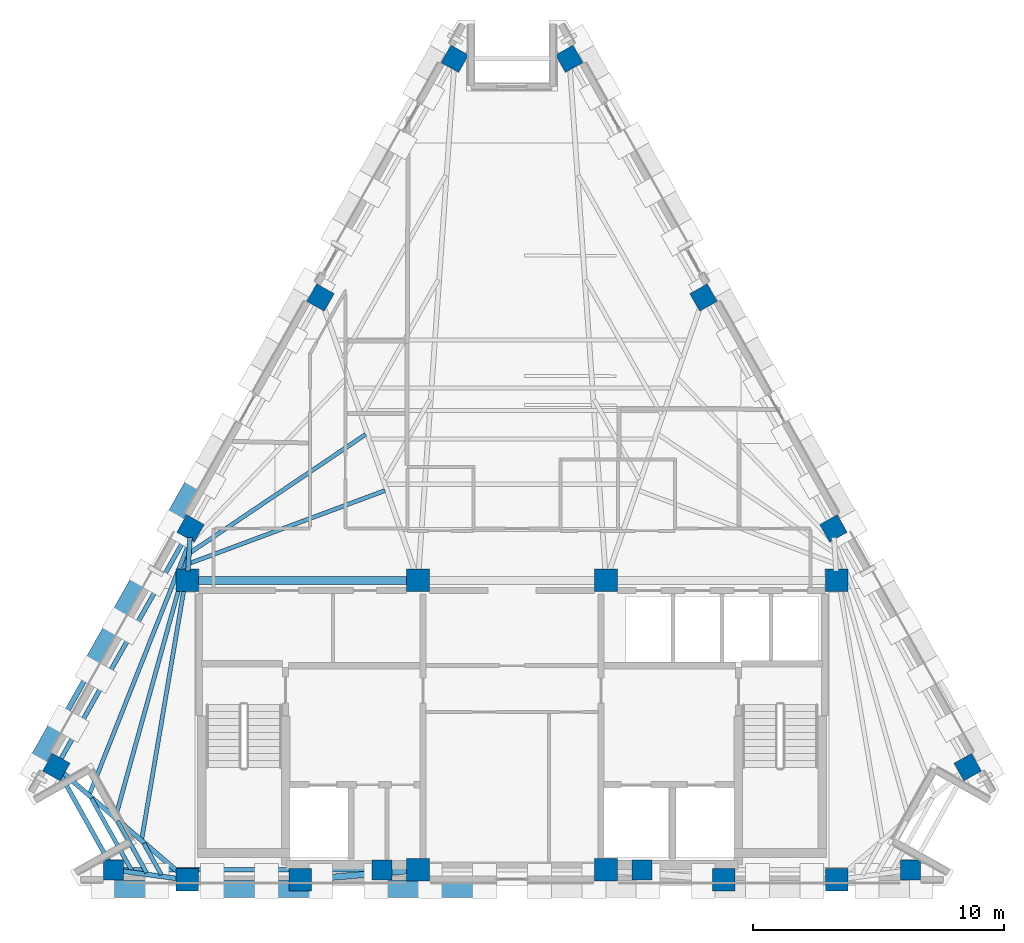
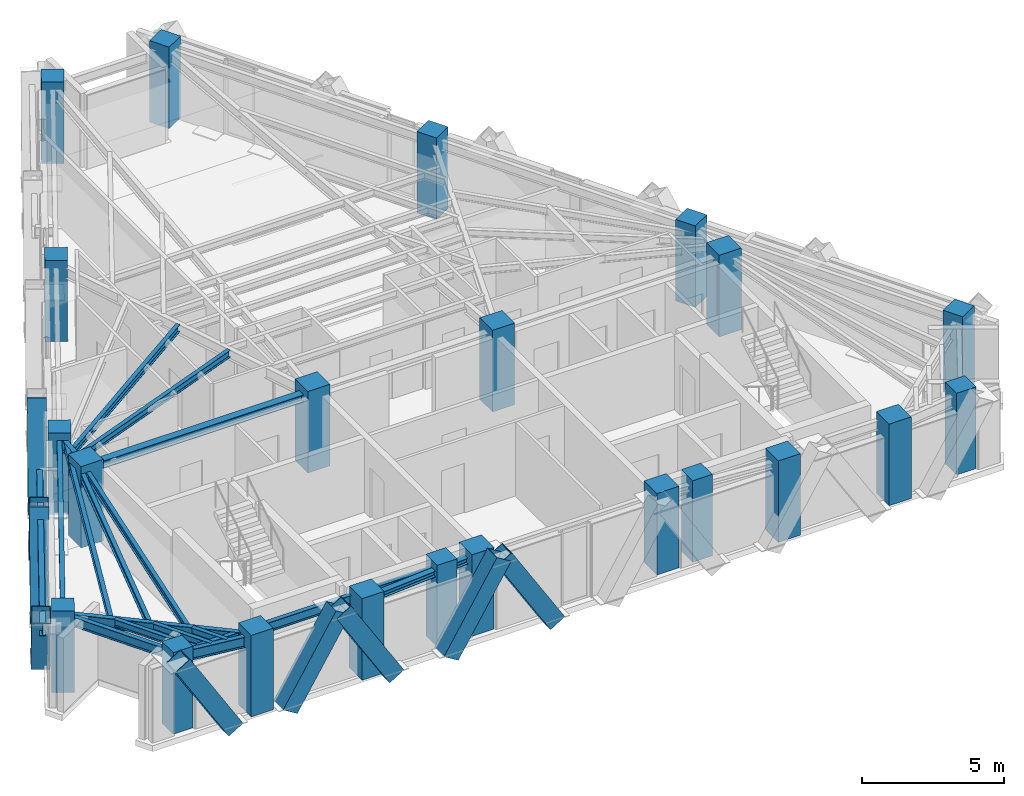
# One storey, part 1 of 9: 22 columns, 17 beams, 9 members.
"""IFC4 building model written with IfcOpenShell, lengths in metres."""

import ifcopenshell
import ifcopenshell.guid

model = None  # the IFC model being written
_history = None  # IfcOwnerHistory: only IFC2X3 demands one
_inside = {}  # id of a spatial element -> (the spatial element, [elements in it])
_under = {}  # id of a project, library or spatial element -> (it, [spatial elements below it])
_declared = {}  # id of a project -> (the project, [libraries it declares])
_typed = {}  # id of a type object -> (the type object, [elements of that type])
_made_of = {}  # id of a material, layer set ... -> (it, [elements and type objects made of it])


def new_model(schema):
    """Start an empty IFC model of exactly this schema.

    Asked for "IFC4X3", IfcOpenShell would pick the latest addendum, in which some entities
    have other attributes; the version numbers below select the first issue.
    IFC2X3 requires an IfcOwnerHistory on every rooted entity: one is made here for all.
    """
    global model, _history
    if schema == "IFC4X3":
        model = ifcopenshell.file(schema_version=(4, 3, 0, 0))
    else:
        model = ifcopenshell.file(schema=schema)
    _inside.clear()
    _under.clear()
    _declared.clear()
    _typed.clear()
    _made_of.clear()
    _history = None
    if model.schema == "IFC2X3":
        org = make("IfcOrganization", Name="unknown")
        user = make(
            "IfcPersonAndOrganization",
            ThePerson=make("IfcPerson", FamilyName="unknown"),
            TheOrganization=org,
        )
        app = make(
            "IfcApplication",
            ApplicationDeveloper=org,
            Version="unknown",
            ApplicationFullName="unknown",
            ApplicationIdentifier="unknown",
        )
        _history = make(
            "IfcOwnerHistory",
            OwningUser=user,
            OwningApplication=app,
            ChangeAction="ADDED",
            CreationDate=0,
        )
    return model


def make(cls, **values):
    """One entity of the class cls with the attributes given. An attribute that is None is left unset."""
    return model.create_entity(
        cls, **{name: value for name, value in values.items() if value is not None}
    )


def rooted(cls, **values):
    """An entity with a GlobalId (a new one), such as an element, a storey or a relation."""
    return make(cls, GlobalId=ifcopenshell.guid.new(), OwnerHistory=_history, **values)


def si_unit(unit_type, name, prefix=None):
    """IfcSIUnit, for example si_unit("LENGTHUNIT", "METRE", prefix="MILLI")."""
    return make("IfcSIUnit", UnitType=unit_type, Prefix=prefix, Name=name)


def assignment(units):
    """IfcUnitAssignment: the units of a project."""
    return None if units is None else make("IfcUnitAssignment", Units=units)


def point(xyz):
    """IfcCartesianPoint."""
    return None if xyz is None else make("IfcCartesianPoint", Coordinates=xyz)


def direction(xyz):
    """IfcDirection."""
    return None if xyz is None else make("IfcDirection", DirectionRatios=xyz)


def frame(location, z_axis=None, x_axis=None):
    """IfcAxis2Placement3D, a coordinate frame: its origin and axes. An axis left out is left unset."""
    return make(
        "IfcAxis2Placement3D",
        Location=point(location),
        Axis=direction(z_axis),
        RefDirection=direction(x_axis),
    )


def frame_2d(location, x_axis=None):
    """IfcAxis2Placement2D, a coordinate frame in the plane: its origin and x axis."""
    return make(
        "IfcAxis2Placement2D", Location=point(location), RefDirection=direction(x_axis)
    )


def origin():
    """The frame at (0, 0, 0) with its axes left unset."""
    return frame((0.0, 0.0, 0.0))


def origin_2d():
    """The frame at (0, 0) in the plane with its x axis left unset."""
    return frame_2d((0.0, 0.0))


def place(relative_to, where):
    """IfcLocalPlacement: puts the frame where relative to a parent placement (None: the world)."""
    return make(
        "IfcLocalPlacement", PlacementRelTo=relative_to, RelativePlacement=where
    )


def context(
    kind, dimensions, precision=None, world=None, true_north=None, identifier=None
):
    """IfcGeometricRepresentationContext, for example the 3D "Model" context."""
    return make(
        "IfcGeometricRepresentationContext",
        ContextIdentifier=identifier,
        ContextType=kind,
        CoordinateSpaceDimension=dimensions,
        Precision=precision,
        WorldCoordinateSystem=world,
        TrueNorth=true_north,
    )


def subcontext(parent, identifier, kind, view, scale=None):
    """IfcGeometricRepresentationSubContext, for example "Body" below "Model"."""
    return make(
        "IfcGeometricRepresentationSubContext",
        ContextIdentifier=identifier,
        ContextType=kind,
        ParentContext=parent,
        TargetScale=scale,
        TargetView=view,
    )


def project(units=None, contexts=None):
    """IfcProject with its units and contexts."""
    return rooted(
        "IfcProject",
        Name="project",
        RepresentationContexts=contexts,
        UnitsInContext=assignment(units),
    )


def spatial(cls, under=None, at=None, **own):
    """A site, building, storey or space (cls), placed at a placement, below another one or the project."""
    s = rooted(cls, ObjectPlacement=at, **own)
    if under is not None:
        _under.setdefault(under.id(), (under, []))[1].append(s)
    return s


def profile(cls, at=None, kind="AREA", **sizes):
    """A parametric profile (cls). Its sizes go by their IFC names, for example OverallWidth=200.0."""
    return make(cls, ProfileType=kind, Position=at, **sizes)


def rectangle(**sizes):
    """IfcRectangleProfileDef."""
    return profile("IfcRectangleProfileDef", **sizes)


def hollow_rectangle(**sizes):
    """IfcRectangleHollowProfileDef."""
    return profile("IfcRectangleHollowProfileDef", **sizes)


def i_section(**sizes):
    """IfcIShapeProfileDef."""
    return profile("IfcIShapeProfileDef", **sizes)


def extrude(swept, where, along, depth):
    """IfcExtrudedAreaSolid: the profile swept, set in the frame where, extruded along a direction by depth."""
    return make(
        "IfcExtrudedAreaSolid",
        SweptArea=swept,
        Position=where,
        ExtrudedDirection=direction(along),
        Depth=depth,
    )


def shape(context_of_items, identifier, shape_type, items):
    """IfcShapeRepresentation: the items that make up one representation, for example the "Body"."""
    return make(
        "IfcShapeRepresentation",
        ContextOfItems=context_of_items,
        RepresentationIdentifier=identifier,
        RepresentationType=shape_type,
        Items=items,
    )


def material(Name=None, Category=None):
    """IfcMaterial."""
    return make("IfcMaterial", Name=Name, Category=Category)


def material_profile(
    of_material, cross_section, Name=None, Category=None, Priority=None
):
    """IfcMaterialProfile: a cross section and its material."""
    return make(
        "IfcMaterialProfile",
        Name=Name,
        Material=of_material,
        Profile=cross_section,
        Priority=Priority,
        Category=Category,
    )


def profile_set(profiles, Name=None, composite=None):
    """IfcMaterialProfileSet."""
    return make(
        "IfcMaterialProfileSet",
        Name=Name,
        MaterialProfiles=profiles,
        CompositeProfile=composite,
    )


def made_of(thing, what):
    """Note that an element or type object is made of a material, layer set ...; save() writes the relation."""
    if what is not None:
        _made_of.setdefault(what.id(), (what, []))[1].append(thing)
    return thing


def type_object(cls, material=None, **own):
    """A type object (cls), such as IfcWallType, which elements share."""
    return made_of(rooted(cls, **own), material)


def element(
    cls,
    number,
    at=None,
    inside=None,
    cuts=None,
    type_object=None,
    material=None,
    context=None,
    identifier="Body",
    shape_type=None,
    held_by="IfcProductDefinitionShape",
    body=None,
    shapes=None,
    **own,
):
    """One element of the class cls, such as IfcWall. Its Tag is "e" and its number.

    at: its placement. inside: the storey or other place that contains it. cuts: it is an
    opening in that element (IfcRelVoidsElement). A single representation is given by context,
    identifier, shape_type and body (its items); several are given by shapes. held_by: the class
    of the entity that holds the representations. save() writes the other relations.
    """
    e = rooted(cls, Tag="e%d" % number, ObjectPlacement=at, **own)
    if body is not None:
        shapes = [shape(context, identifier, shape_type, body)]
    if shapes is not None:
        e.Representation = make(held_by, Representations=shapes)
    if inside is not None:
        _inside.setdefault(inside.id(), (inside, []))[1].append(e)
    if cuts is not None:
        rooted(
            "IfcRelVoidsElement", RelatingBuildingElement=cuts, RelatedOpeningElement=e
        )
    if type_object is not None:
        _typed.setdefault(type_object.id(), (type_object, []))[1].append(e)
    return made_of(e, material)


def aggregate(whole, parts):
    """IfcRelAggregates: a whole, such as a stair, and the parts it consists of."""
    return rooted("IfcRelAggregates", RelatingObject=whole, RelatedObjects=parts)


def save(model, path):
    """Write the relations noted so far, then the file.

    IfcRelAggregates (storeys below a building ...), IfcRelContainedInSpatialStructure (elements
    in a storey), IfcRelDefinesByType, IfcRelAssociatesMaterial and IfcRelDeclares: one each for
    every whole, place, type object, material and project.
    """
    for whole, parts in _under.values():
        aggregate(whole, parts)
    for where, things in _inside.values():
        rooted(
            "IfcRelContainedInSpatialStructure",
            RelatedElements=things,
            RelatingStructure=where,
        )
    for kind, things in _typed.values():
        rooted("IfcRelDefinesByType", RelatedObjects=things, RelatingType=kind)
    for what, things in _made_of.values():
        rooted("IfcRelAssociatesMaterial", RelatedObjects=things, RelatingMaterial=what)
    for by, libraries in _declared.values():
        rooted("IfcRelDeclares", RelatingContext=by, RelatedDefinitions=libraries)
    model.write(path)


model = new_model("IFC4")

# Units and contexts
model_context = context("Model", 3, precision=1e-05, world=origin(), true_north=direction((0.0, 1.0)))
body_context = subcontext(model_context, "Body", "Model", "MODEL_VIEW")
ifc_project = project(units=[si_unit("LENGTHUNIT", "METRE"), si_unit("AREAUNIT", "SQUARE_METRE"), si_unit("VOLUMEUNIT", "CUBIC_METRE"), si_unit("PLANEANGLEUNIT", "RADIAN"), si_unit("MASSUNIT", "GRAM", prefix="KILO")], contexts=[model_context])

# Site, building, storey
site_placement = place(None, origin())
site = spatial("IfcSite", under=ifc_project, at=site_placement, CompositionType="ELEMENT")
building_placement = place(site_placement, origin())
building = spatial("IfcBuilding", under=site, at=building_placement, Name="Quenlor Broadcast Tower", CompositionType="ELEMENT")
storey_placement = place(building_placement, frame((0.0, 0.0, 267.39990234375)))
storey = spatial("IfcBuildingStorey", under=building, at=storey_placement, Name="L74", CompositionType="ELEMENT", Elevation=267.39990234375)

# Columns
ifc_material_1 = material(Name="Concrete C50/60", Category="concrete")
ifc_material_profile_1 = material_profile(ifc_material_1, rectangle(XDim=0.89990234375, YDim=0.89990234375, at=origin_2d()))
ifc_profile_set_1 = profile_set([ifc_material_profile_1], Name="Concrete C50/60 RC900x900")
column_type_1 = type_object("IfcColumnType", Name="Core Corner Column Upper Concrete C50/60 900", PredefinedType="COLUMN", material=ifc_profile_set_1)
for number, where, z_axis, x_axis, name in (
    (1, (-12.949951171875, -16.75, 0.0), (0.0, 0.0, 1.0), (1.0, 0.0, 0.0), "L74 Core Column CC1"),
    (2, (-8.449951171875, -16.75, 0.0), (0.0, 0.0, 1.0), (1.0, 0.0, 0.0), "L74 Core Column CC2"),
    (3, (-3.75, -16.35009765625, 0.0), (0.0, 0.0, 1.0), (1.0, 0.0, 0.0), "L74 Core Column CC3"),
    (4, (3.75, -16.35009765625, 0.0), (0.0, 0.0, 1.0), (1.0, 0.0, 0.0), "L74 Core Column CC4"),
    (5, (8.449951171875, -16.75, 0.0), (0.0, 0.0, 1.0), (1.0, 0.0, 0.0), "L74 Core Column CC5"),
    (6, (12.949951171875, -16.75, 0.0), (0.0, 0.0, 1.0), (1.0, 0.0, 0.0), "L74 Core Column CC6"),
    (7, (-12.949951171875, -4.800048828125, 0.0), (0.0, 0.0, 1.0), (1.0, 0.0, 0.0), "L74 Core Column CC7"),
    (8, (-3.75, -4.800048828125, 0.0), (0.0, 0.0, 1.0), (1.0, 0.0, 0.0), "L74 Core Column CC8"),
    (9, (3.75, -4.800048828125, 0.0), (0.0, 0.0, 1.0), (1.0, 0.0, 0.0), "L74 Core Column CC9"),
    (10, (12.949951171875, -4.800048828125, 0.0), (0.0, 0.0, 1.0), (1.0, 0.0, 0.0), "L74 Core Column CC10"),
):
    element("IfcColumn", number, at=place(storey_placement, frame(where, z_axis=z_axis, x_axis=x_axis)), inside=storey, type_object=column_type_1, Name=name, PredefinedType="COLUMN", context=body_context, shape_type="SweptSolid", body=[
        extrude(rectangle(XDim=0.89990234375, YDim=0.89990234375, at=origin_2d()), origin(), (0.0, 0.0, 1.0), 3.5),
    ])
ifc_material_2 = material(Name="Concrete C50/60", Category="concrete")
ifc_material_profile_2 = material_profile(ifc_material_2, rectangle(XDim=0.800048828125, YDim=0.800048828125, at=origin_2d()))
ifc_profile_set_2 = profile_set([ifc_material_profile_2], Name="Concrete C50/60 RC800x800")
column_type_2 = type_object("IfcColumnType", Name="Tower Perimeter Column Z5 Concrete C50/60 800", PredefinedType="COLUMN", material=ifc_profile_set_2)
for number, where, z_axis, x_axis, name in (
    (11, (-15.897705078125, -16.35009765625, 0.0), (0.0, 0.0, 1.0), (0.0, 1.0, 0.0), "L74 Perimeter Column S1"),
    (12, (-5.18408203125, -16.35009765625, 0.0), (0.0, 0.0, 1.0), (0.0, 1.0, 0.0), "L74 Perimeter Column S2"),
    (13, (5.18408203125, -16.35009765625, 0.0), (0.0, 0.0, 1.0), (0.0, 1.0, 0.0), "L74 Perimeter Column S3"),
    (14, (15.897705078125, -16.35009765625, 0.0), (0.0, 0.0, 1.0), (0.0, 1.0, 0.0), "L74 Perimeter Column S4"),
    (15, (18.182373046875, -12.25, 0.0), (0.0, 0.0, 1.0), (0.871575139605, 0.490261946333, 0.0), "L74 Perimeter Column NE1"),
    (16, (12.825439453125, -2.726806640625, 0.0), (0.0, 0.0, 1.0), (0.871575139605, 0.490261946333, 0.0), "L74 Perimeter Column NE2"),
    (17, (7.6416015625, 6.4892578125, 0.0), (0.0, 0.0, 1.0), (0.871575139605, 0.490261946333, 0.0), "L74 Perimeter Column NE3"),
    (18, (2.28466796875, 16.012451171875, 0.0), (0.0, 0.0, 1.0), (0.871575139605, 0.490261946333, 0.0), "L74 Perimeter Column NE4"),
    (19, (-2.28466796875, 16.012451171875, 0.0), (0.0, 0.0, 1.0), (-0.871575139605, 0.490261946333, 0.0), "L74 Perimeter Column NW1"),
    (20, (-7.6416015625, 6.4892578125, 0.0), (0.0, 0.0, 1.0), (-0.871575139605, 0.490261946333, 0.0), "L74 Perimeter Column NW2"),
    (21, (-12.825439453125, -2.726806640625, 0.0), (0.0, 0.0, 1.0), (-0.871575139605, 0.490261946333, 0.0), "L74 Perimeter Column NW3"),
    (22, (-18.182373046875, -12.25, 0.0), (0.0, 0.0, 1.0), (-0.871575139605, 0.490261946333, 0.0), "L74 Perimeter Column NW4"),
):
    element("IfcColumn", number, at=place(storey_placement, frame(where, z_axis=z_axis, x_axis=x_axis)), inside=storey, type_object=column_type_2, Name=name, PredefinedType="COLUMN", context=body_context, shape_type="SweptSolid", body=[
        extrude(rectangle(XDim=0.800048828125, YDim=0.800048828125, at=origin_2d()), origin(), (0.0, 0.0, 1.0), 3.5),
    ])

# Beams
ifc_material_3 = material(Name="Steel S355", Category="steel")
ifc_material_profile_3 = material_profile(ifc_material_3, i_section(OverallWidth=0.25390625, OverallDepth=0.25390625, WebThickness=0.008544921875, FlangeThickness=0.01416015625, FilletRadius=0.013916015625, at=origin_2d()))
ifc_profile_set_3 = profile_set([ifc_material_profile_3], Name="Steel S355 250UC72.9")
beam_type_1 = type_object("IfcBeamType", Name="Core Opening Lintel Beam Steel S355 250UC72.9", PredefinedType="LINTEL", material=ifc_profile_set_3)
beam_1_placement = place(storey_placement, frame((-8.09130859375, -16.719482421875, 3.05322265625), z_axis=(0.996399763903, 0.084779186679, 0.0), x_axis=(-0.084779186679, 0.996399763903, 0.0)))
element("IfcBeam", 23, at=beam_1_placement, inside=storey, type_object=beam_type_1, Name="L74 Core Opening Lintel Beam 4", PredefinedType="LINTEL", context=body_context, shape_type="SweptSolid", body=[
    extrude(i_section(OverallWidth=0.25390625, OverallDepth=0.25390625, WebThickness=0.008544921875, FlangeThickness=0.01416015625, FilletRadius=0.013916015625, at=origin_2d()), origin(), (0.0, 0.0, 1.0), 3.9970703125),
])
ifc_material_4 = material(Name="Steel S355", Category="steel")
ifc_material_profile_4 = material_profile(ifc_material_4, i_section(OverallWidth=0.306884765625, OverallDepth=0.314697265625, WebThickness=0.011962890625, FlangeThickness=0.018798828125, FilletRadius=0.0166015625, at=origin_2d()))
ifc_profile_set_4 = profile_set([ifc_material_profile_4], Name="Steel S355 310UC118")
beam_type_2 = type_object("IfcBeamType", Name="Core Tie Beam Steel S355 310UC118", PredefinedType="BEAM", material=ifc_profile_set_4)
beam_2_placement = place(storey_placement, frame((-12.590087890625, -4.800048828125, 3.022705078125), z_axis=(1.0, 0.0, 0.0), x_axis=(0.0, 1.0, 0.0)))
element("IfcBeam", 24, at=beam_2_placement, inside=storey, type_object=beam_type_2, Name="L74 Core Tie Beam 1", PredefinedType="BEAM", context=body_context, shape_type="SweptSolid", body=[
    extrude(i_section(OverallWidth=0.306884765625, OverallDepth=0.314697265625, WebThickness=0.011962890625, FlangeThickness=0.018798828125, FilletRadius=0.0166015625, at=origin_2d()), origin(), (0.0, 0.0, 1.0), 8.47998046875),
])

# Members
ifc_material_5 = material(Name="Steel S355", Category="steel")
ifc_material_profile_5 = material_profile(ifc_material_5, hollow_rectangle(XDim=0.679931640625, YDim=0.679931640625, WallThickness=0.02001953125, at=origin_2d()))
ifc_profile_set_5 = profile_set([ifc_material_profile_5], Name="Steel S355 RHS680x680x20")
member_type = type_object("IfcMemberType", Name="Perimeter Diagonal Lattice Brace Z5-Crown Steel S355 RHS680x20", PredefinedType="BRACE", material=ifc_profile_set_5)
for number, where, z_axis, x_axis, name in (
    (25, (-1.101806640625, -17.1201171875, -0.119873046875), (-0.523616565236, 0.0, 0.85195404372), (0.0, -1.0, 0.0), "L74 Perimeter Diamond Lattice S-C3S"),
    (26, (-7.6337890625, -17.1201171875, -0.119873046875), (-0.523616565236, 0.0, 0.85195404372), (0.0, -1.0, 0.0), "L74 Perimeter Diamond Lattice S-C4S"),
):
    element("IfcMember", number, at=place(storey_placement, frame(where, z_axis=z_axis, x_axis=x_axis)), inside=storey, type_object=member_type, Name=name, PredefinedType="BRACE", context=body_context, shape_type="SweptSolid", body=[
        extrude(hollow_rectangle(XDim=0.679931640625, YDim=0.679931640625, WallThickness=0.02001953125, at=origin_2d()), origin(), (0.0, 0.0, 1.0), 4.108154296875),
    ])
member_1_placement = place(storey_placement, frame((-5.430419921875, -17.1201171875, -0.119873046875), z_axis=(0.5236596973, 0.0, 0.851927532965), x_axis=(0.0, 1.0, 0.0)))
element("IfcMember", 27, at=member_1_placement, inside=storey, type_object=member_type, Name="L74 Perimeter Diamond Lattice S-C4B", PredefinedType="BRACE", context=body_context, shape_type="SweptSolid", body=[
    extrude(hollow_rectangle(XDim=0.679931640625, YDim=0.679931640625, WallThickness=0.02001953125, at=origin_2d()), origin(), (0.0, 0.0, 1.0), 4.1083984375),
])
member_2_placement = place(storey_placement, frame((-14.165771484375, -17.1201171875, -0.119873046875), z_axis=(-0.523616565236, 0.0, 0.85195404372), x_axis=(0.0, -1.0, 0.0)))
element("IfcMember", 28, at=member_2_placement, inside=storey, type_object=member_type, Name="L74 Perimeter Diamond Lattice S-C5S", PredefinedType="BRACE", context=body_context, shape_type="SweptSolid", body=[
    extrude(hollow_rectangle(XDim=0.679931640625, YDim=0.679931640625, WallThickness=0.02001953125, at=origin_2d()), origin(), (0.0, 0.0, 1.0), 4.108154296875),
])
member_3_placement = place(storey_placement, frame((-11.96240234375, -17.1201171875, -0.119873046875), z_axis=(0.5236596973, 0.0, 0.851927532965), x_axis=(0.0, 1.0, 0.0)))
element("IfcMember", 29, at=member_3_placement, inside=storey, type_object=member_type, Name="L74 Perimeter Diamond Lattice S-C5B", PredefinedType="BRACE", context=body_context, shape_type="SweptSolid", body=[
    extrude(hollow_rectangle(XDim=0.679931640625, YDim=0.679931640625, WallThickness=0.02001953125, at=origin_2d()), origin(), (0.0, 0.0, 1.0), 4.1083984375),
])
for number, where, z_axis, x_axis, name in (
    (30, (-16.892578125, -8.38623046875, -0.119873046875), (0.260618804175, 0.463276364439, 0.847025884529), (-0.8715547569, 0.490298180422, 0.0), "L74 Perimeter Diamond Lattice NW-C1S"),
    (31, (-17.99560546875, -10.34716796875, -0.119873046875), (-0.260563732169, -0.463283497491, 0.847038926161), (0.871602253711, -0.49021374045, 0.0), "L74 Perimeter Diamond Lattice NW-C1B"),
    (32, (-13.622802734375, -2.573486328125, -0.119873046875), (0.260618804175, 0.463276364439, 0.847025884529), (-0.8715547569, 0.490298180422, 0.0), "L74 Perimeter Diamond Lattice NW-C2S"),
    (33, (-14.725830078125, -4.534423828125, -0.119873046875), (-0.260563732169, -0.463283497491, 0.847038926161), (0.871602253711, -0.49021374045, 0.0), "L74 Perimeter Diamond Lattice NW-C2B"),
):
    element("IfcMember", number, at=place(storey_placement, frame(where, z_axis=z_axis, x_axis=x_axis)), inside=storey, type_object=member_type, Name=name, PredefinedType="BRACE", context=body_context, shape_type="SweptSolid", body=[
        extrude(hollow_rectangle(XDim=0.679931640625, YDim=0.679931640625, WallThickness=0.02001953125, at=origin_2d()), origin(), (0.0, 0.0, 1.0), 4.132080078125),
    ])

# Beams
ifc_material_6 = material(Name="Steel S355", Category="steel")
ifc_material_profile_6 = material_profile(ifc_material_6, i_section(OverallWidth=0.208984375, OverallDepth=0.532958984375, WebThickness=0.01025390625, FlangeThickness=0.015625, FilletRadius=0.013916015625, at=origin_2d()))
ifc_profile_set_6 = profile_set([ifc_material_profile_6], Name="Steel S355 530UB92.4")
beam_type_3 = type_object("IfcBeamType", Name="Perimeter Spandrel Beam Z1 Steel S355 530UB92.4", PredefinedType="SPANDREL", material=ifc_profile_set_6)
beam_3_placement = place(storey_placement, frame((-19.14794921875, -12.498046875, 2.91357421875), z_axis=(0.490248956779, 0.871582446116, 0.0), x_axis=(-0.871582446116, 0.490248956779, 0.0)))
element("IfcBeam", 34, at=beam_3_placement, inside=storey, type_object=beam_type_3, Name="L74 Lattice Sill Girder NWA", PredefinedType="SPANDREL", context=body_context, shape_type="SweptSolid", body=[
    extrude(i_section(OverallWidth=0.208984375, OverallDepth=0.532958984375, WebThickness=0.01025390625, FlangeThickness=0.015625, FilletRadius=0.013916015625, at=origin_2d()), origin(), (0.0, 0.0, 1.0), 9.43701171875),
])
ifc_material_7 = material(Name="Steel S355", Category="steel")
ifc_material_profile_7 = material_profile(ifc_material_7, i_section(OverallWidth=0.177978515625, OverallDepth=0.406494140625, WebThickness=0.0078125, FlangeThickness=0.0126953125, FilletRadius=0.011474609375, at=origin_2d()))
ifc_profile_set_7 = profile_set([ifc_material_profile_7], Name="Steel S355 410UB59.7")
beam_type_4 = type_object("IfcBeamType", Name="Perimeter Spandrel Beam Z5 Steel S355 410UB59.7", PredefinedType="SPANDREL", material=ifc_profile_set_7)
beam_4_placement = place(storey_placement, frame((-15.53759765625, -16.35009765625, 2.976806640625), z_axis=(1.0, 0.0, 0.0), x_axis=(0.0, 1.0, 0.0)))
element("IfcBeam", 35, at=beam_4_placement, inside=storey, type_object=beam_type_4, Name="L74 Spandrel Beam S1-S2", PredefinedType="SPANDREL", context=body_context, shape_type="SweptSolid", body=[
    extrude(i_section(OverallWidth=0.177978515625, OverallDepth=0.406494140625, WebThickness=0.0078125, FlangeThickness=0.0126953125, FilletRadius=0.011474609375, at=origin_2d()), origin(), (0.0, 0.0, 1.0), 9.99365234375),
])
beam_5_placement = place(storey_placement, frame((-13.001953125, -3.04052734375, 2.976806640625), z_axis=(-0.490274867878, -0.871567871096, 0.0), x_axis=(0.871567871096, -0.490274867878, 0.0)))
element("IfcBeam", 36, at=beam_5_placement, inside=storey, type_object=beam_type_4, Name="L74 Spandrel Beam NW3-NW4", PredefinedType="SPANDREL", context=body_context, shape_type="SweptSolid", body=[
    extrude(i_section(OverallWidth=0.177978515625, OverallDepth=0.406494140625, WebThickness=0.0078125, FlangeThickness=0.0126953125, FilletRadius=0.011474609375, at=origin_2d()), origin(), (0.0, 0.0, 1.0), 10.206298828125),
])
beam_6_placement = place(storey_placement, frame((-18.007080078125, -12.564453125, 2.976806640625), z_axis=(0.486800618374, -0.873513112638, 0.0), x_axis=(0.873513112638, 0.486800618374, 0.0)))
element("IfcBeam", 37, at=beam_6_placement, inside=storey, type_object=beam_type_4, Name="L74 Spandrel Beam NW4-S1", PredefinedType="SPANDREL", context=body_context, shape_type="SweptSolid", body=[
    extrude(i_section(OverallWidth=0.177978515625, OverallDepth=0.406494140625, WebThickness=0.0078125, FlangeThickness=0.0126953125, FilletRadius=0.011474609375, at=origin_2d()), origin(), (0.0, 0.0, 1.0), 3.9736328125),
])
ifc_material_8 = material(Name="Steel S355", Category="steel")
ifc_material_profile_8 = material_profile(ifc_material_8, i_section(OverallWidth=0.166015625, OverallDepth=0.30712890625, WebThickness=0.006591796875, FlangeThickness=0.01171875, FilletRadius=0.011474609375, at=origin_2d()))
ifc_profile_set_8 = profile_set([ifc_material_profile_8], Name="Steel S355 310UB46.2")
beam_type_5 = type_object("IfcBeamType", Name="Tower Composite Joist Z4-Z5 Steel S355 310UB46.2", PredefinedType="JOIST", material=ifc_profile_set_8)
beam_7_placement = place(storey_placement, frame((-12.835205078125, -4.108642578125, 3.026611328125), z_axis=(0.937062080226, 0.349162795559, 0.0), x_axis=(-0.349162795559, 0.937062080226, 0.0)))
element("IfcBeam", 38, at=beam_7_placement, inside=storey, type_object=beam_type_5, Name="L74 Secondary Composite Joist 7", PredefinedType="JOIST", context=body_context, shape_type="SweptSolid", body=[
    extrude(i_section(OverallWidth=0.166015625, OverallDepth=0.30712890625, WebThickness=0.006591796875, FlangeThickness=0.01171875, FilletRadius=0.011474609375, at=origin_2d()), origin(), (0.0, 0.0, 1.0), 8.286376953125),
])
beam_8_placement = place(storey_placement, frame((-12.81884765625, -3.67724609375, 3.026611328125), z_axis=(0.829286301475, 0.558823970661, 0.0), x_axis=(-0.558823970661, 0.829286301475, 0.0)))
element("IfcBeam", 39, at=beam_8_placement, inside=storey, type_object=beam_type_5, Name="L74 Secondary Composite Joist 8", PredefinedType="JOIST", context=body_context, shape_type="SweptSolid", body=[
    extrude(i_section(OverallWidth=0.166015625, OverallDepth=0.30712890625, WebThickness=0.006591796875, FlangeThickness=0.01171875, FilletRadius=0.011474609375, at=origin_2d()), origin(), (0.0, 0.0, 1.0), 8.415771484375),
])
beam_9_placement = place(storey_placement, frame((-14.76806640625, -15.09619140625, 3.026611328125), z_axis=(0.166553293246, 0.986032454085, 0.0), x_axis=(-0.986032454085, 0.166553293246, 0.0)))
element("IfcBeam", 40, at=beam_9_placement, inside=storey, type_object=beam_type_5, Name="L74 Secondary Composite Joist 13", PredefinedType="JOIST", context=body_context, shape_type="SweptSolid", body=[
    extrude(i_section(OverallWidth=0.166015625, OverallDepth=0.30712890625, WebThickness=0.006591796875, FlangeThickness=0.01171875, FilletRadius=0.011474609375, at=origin_2d()), origin(), (0.0, 0.0, 1.0), 11.097900390625),
])
beam_10_placement = place(storey_placement, frame((-15.806396484375, -14.197998046875, 3.026611328125), z_axis=(0.26744552871, 0.96357298072, 0.0), x_axis=(-0.96357298072, 0.26744552871, 0.0)))
element("IfcBeam", 41, at=beam_10_placement, inside=storey, type_object=beam_type_5, Name="L74 Secondary Composite Joist 14", PredefinedType="JOIST", context=body_context, shape_type="SweptSolid", body=[
    extrude(i_section(OverallWidth=0.166015625, OverallDepth=0.30712890625, WebThickness=0.006591796875, FlangeThickness=0.01171875, FilletRadius=0.011474609375, at=origin_2d()), origin(), (0.0, 0.0, 1.0), 10.856689453125),
])
beam_11_placement = place(storey_placement, frame((-16.8447265625, -13.300537109375, 3.026611328125), z_axis=(0.368680258049, 0.929556274426, 0.0), x_axis=(-0.929556274426, 0.368680258049, 0.0)))
element("IfcBeam", 42, at=beam_11_placement, inside=storey, type_object=beam_type_5, Name="L74 Secondary Composite Joist 15", PredefinedType="JOIST", context=body_context, shape_type="SweptSolid", body=[
    extrude(i_section(OverallWidth=0.166015625, OverallDepth=0.30712890625, WebThickness=0.006591796875, FlangeThickness=0.01171875, FilletRadius=0.011474609375, at=origin_2d()), origin(), (0.0, 0.0, 1.0), 10.737548828125),
])
beam_12_placement = place(storey_placement, frame((-13.9912109375, -16.544189453125, 3.026611328125), z_axis=(-0.486624304452, 0.873611347406, 0.0), x_axis=(-0.873611347406, -0.486624304452, 0.0)))
element("IfcBeam", 43, at=beam_12_placement, inside=storey, type_object=beam_type_5, Name="L74 Secondary Composite Joist 19", PredefinedType="JOIST", context=body_context, shape_type="SweptSolid", body=[
    extrude(i_section(OverallWidth=0.166015625, OverallDepth=0.30712890625, WebThickness=0.006591796875, FlangeThickness=0.01171875, FilletRadius=0.011474609375, at=origin_2d()), origin(), (0.0, 0.0, 1.0), 1.435791015625),
])
beam_13_placement = place(storey_placement, frame((-14.58056640625, -16.464111328125, 3.026611328125), z_axis=(-0.486820963037, 0.873501774439, 0.0), x_axis=(-0.873501774439, -0.486820963037, 0.0)))
element("IfcBeam", 44, at=beam_13_placement, inside=storey, type_object=beam_type_5, Name="L74 Secondary Composite Joist 20", PredefinedType="JOIST", context=body_context, shape_type="SweptSolid", body=[
    extrude(i_section(OverallWidth=0.166015625, OverallDepth=0.30712890625, WebThickness=0.006591796875, FlangeThickness=0.01171875, FilletRadius=0.011474609375, at=origin_2d()), origin(), (0.0, 0.0, 1.0), 2.37451171875),
])
beam_14_placement = place(storey_placement, frame((-15.170166015625, -16.384033203125, 3.026611328125), z_axis=(-0.486762404011, 0.873534408046, 0.0), x_axis=(-0.873534408046, -0.486762404011, 0.0)))
element("IfcBeam", 45, at=beam_14_placement, inside=storey, type_object=beam_type_5, Name="L74 Secondary Composite Joist 21", PredefinedType="JOIST", context=body_context, shape_type="SweptSolid", body=[
    extrude(i_section(OverallWidth=0.166015625, OverallDepth=0.30712890625, WebThickness=0.006591796875, FlangeThickness=0.01171875, FilletRadius=0.011474609375, at=origin_2d()), origin(), (0.0, 0.0, 1.0), 3.313232421875),
])
ifc_material_9 = material(Name="Steel S355", Category="steel")
ifc_material_profile_9 = material_profile(ifc_material_9, i_section(OverallWidth=0.19091796875, OverallDepth=0.46044921875, WebThickness=0.010009765625, FlangeThickness=0.01611328125, FilletRadius=0.011474609375, at=origin_2d()))
ifc_profile_set_9 = profile_set([ifc_material_profile_9], Name="Steel S355 460UB82.1")
beam_type_6 = type_object("IfcBeamType", Name="Tower Primary Floor Beam Z5 Steel S355 460UB82.1", PredefinedType="BEAM", material=ifc_profile_set_9)
beam_15_placement = place(storey_placement, frame((-15.541015625, -16.3984375, 2.949951171875), z_axis=(0.990917044125, -0.134474576267, 0.0), x_axis=(0.134474576267, 0.990917044125, 0.0)))
element("IfcBeam", 46, at=beam_15_placement, inside=storey, type_object=beam_type_6, Name="L74 Primary Radial Beam S1", PredefinedType="BEAM", context=body_context, shape_type="SweptSolid", body=[
    extrude(i_section(OverallWidth=0.19091796875, OverallDepth=0.46044921875, WebThickness=0.010009765625, FlangeThickness=0.01611328125, FilletRadius=0.011474609375, at=origin_2d()), origin(), (0.0, 0.0, 1.0), 2.23486328125),
])
beam_16_placement = place(storey_placement, frame((-12.84716796875, -3.086181640625, 2.949951171875), z_axis=(-0.059899569349, -0.998204408722, 0.0), x_axis=(0.998204408722, -0.059899569349, 0.0)))
element("IfcBeam", 47, at=beam_16_placement, inside=storey, type_object=beam_type_6, Name="L74 Primary Radial Beam NW3", PredefinedType="BEAM", context=body_context, shape_type="SweptSolid", body=[
    extrude(i_section(OverallWidth=0.19091796875, OverallDepth=0.46044921875, WebThickness=0.010009765625, FlangeThickness=0.01611328125, FilletRadius=0.011474609375, at=origin_2d()), origin(), (0.0, 0.0, 1.0), 1.3369140625),
])
beam_17_placement = place(storey_placement, frame((-17.909423828125, -12.484619140625, 2.949951171875), z_axis=(0.75817030855, -0.652056579779, 0.0), x_axis=(0.652056579779, 0.75817030855, 0.0)))
element("IfcBeam", 48, at=beam_17_placement, inside=storey, type_object=beam_type_6, Name="L74 Primary Radial Beam NW4", PredefinedType="BEAM", context=body_context, shape_type="SweptSolid", body=[
    extrude(i_section(OverallWidth=0.19091796875, OverallDepth=0.46044921875, WebThickness=0.010009765625, FlangeThickness=0.01611328125, FilletRadius=0.011474609375, at=origin_2d()), origin(), (0.0, 0.0, 1.0), 6.161376953125),
])

save(model, "model.ifc")
